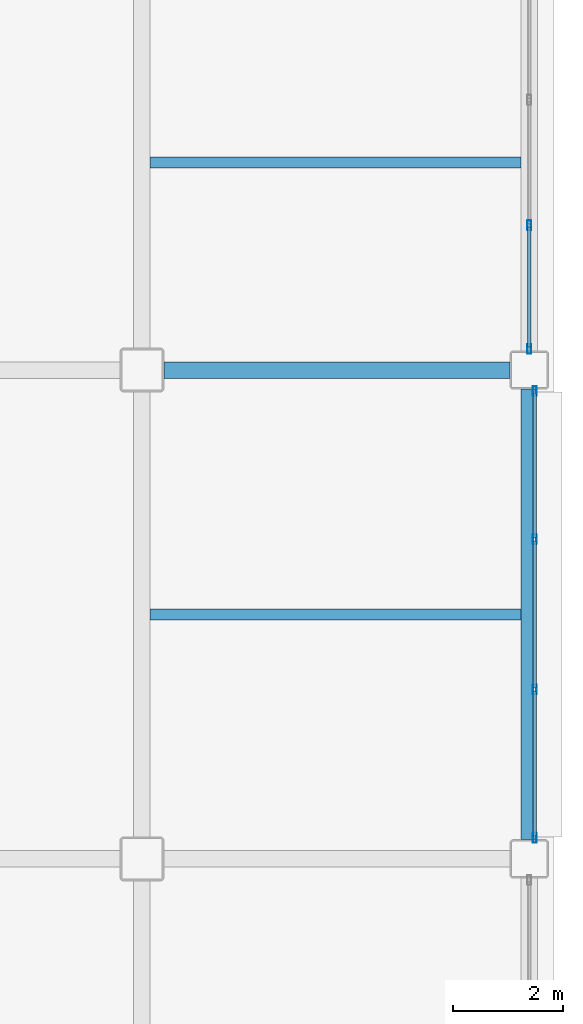
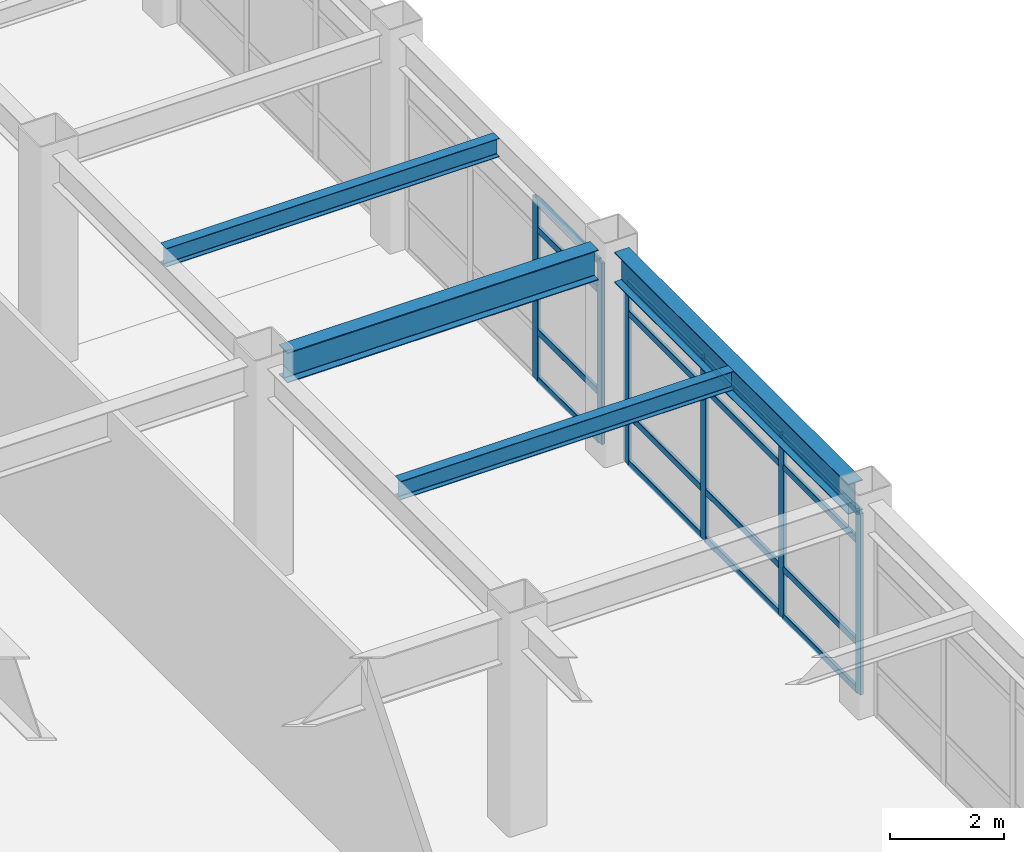
# One storey, part 95 of 154: 22 members, 4 beams, 2 elements without a shape of their own.
"""IFC4 building model written with IfcOpenShell, lengths in metres."""

from ifc_helpers import new_model, si_unit, direction, frame, origin, origin_2d, place, context, subcontext, project, spatial, hollow_rectangle, i_section, extrude, material, layer, layer_set, material_profile, profile_set, type_object, element, aggregate, save


model = new_model("IFC4")

# Units and contexts
model_context = context("Model", 3, precision=1e-05, world=origin(), true_north=direction((0.0, 1.0)))
body_context = subcontext(model_context, "Body", "Model", "MODEL_VIEW")
ifc_project = project(units=[si_unit("LENGTHUNIT", "METRE"), si_unit("AREAUNIT", "SQUARE_METRE"), si_unit("VOLUMEUNIT", "CUBIC_METRE"), si_unit("PLANEANGLEUNIT", "RADIAN"), si_unit("MASSUNIT", "GRAM", prefix="KILO")], contexts=[model_context])

# Site, building, storey
site_placement = place(None, origin())
site = spatial("IfcSite", under=ifc_project, at=site_placement, CompositionType="ELEMENT")
building_placement = place(site_placement, origin())
building = spatial("IfcBuilding", under=site, at=building_placement, Name="Kazehara Bluff Congress Hotel", CompositionType="ELEMENT")
storey_placement = place(building_placement, frame((0.0, 0.0, 10.199951171875)))
storey = spatial("IfcBuildingStorey", under=building, at=storey_placement, Name="L02", CompositionType="ELEMENT", Elevation=10.199951171875)

# Curtain wall, members
ifc_material_1 = material(Name="Anodised aluminium", Category="aluminium")
ifc_layer_1 = layer(ifc_material_1, 0.159912109375)
ifc_layer_set_1 = layer_set([ifc_layer_1], Name="Anodised aluminium")
curtain_wall_type_1 = type_object("IfcCurtainWallType", Name="TP-CW-83", PredefinedType="NOTDEFINED", material=ifc_layer_set_1)
curtain_wall_1_placement = place(storey_placement, origin())
curtain_wall_1 = element("IfcCurtainWall", 1, at=curtain_wall_1_placement, inside=storey, type_object=curtain_wall_type_1, Name="L02 curtain wall CW-83 CW-V5-L02-X16755-4125", PredefinedType="NOTDEFINED")
ifc_material_2 = material(Name="Anodised aluminium", Category="aluminium")
ifc_material_profile_1 = material_profile(ifc_material_2, hollow_rectangle(XDim=0.06494140625, YDim=0.179931640625, WallThickness=0.00390625, InnerFilletRadius=0.00390625, OuterFilletRadius=0.008056640625, at=origin_2d()))
ifc_profile_set_1 = profile_set([ifc_material_profile_1], Name="Anodised aluminium")
member_type_1 = type_object("IfcMemberType", Name="TP-CWM-02", PredefinedType="MULLION", material=ifc_profile_set_1)
member_1_placement = place(storey_placement, frame((167.550048828125, 41.282470703125, 0.0), z_axis=(0.0, 0.0, 1.0), x_axis=(-1.0, 0.0, 0.0)))
member_1 = element("IfcMember", 2, at=member_1_placement, type_object=member_type_1, Name="CW-83 mullion 1", PredefinedType="MULLION", context=body_context, shape_type="SweptSolid", body=[
    extrude(hollow_rectangle(XDim=0.06494140625, YDim=0.179931640625, WallThickness=0.00390625, InnerFilletRadius=0.00390625, OuterFilletRadius=0.008056640625, at=origin_2d()), origin(), (0.0, 0.0, 1.0), 3.885009765625),
])
member_2_placement = place(storey_placement, frame((167.550048828125, 43.533447265625, 0.0), z_axis=(0.0, 0.0, 1.0), x_axis=(-1.0, 0.0, 0.0)))
member_2 = element("IfcMember", 3, at=member_2_placement, type_object=member_type_1, Name="CW-83 mullion 2", PredefinedType="MULLION", context=body_context, shape_type="SweptSolid", body=[
    extrude(hollow_rectangle(XDim=0.06494140625, YDim=0.179931640625, WallThickness=0.00390625, InnerFilletRadius=0.00390625, OuterFilletRadius=0.008056640625, at=origin_2d()), origin(), (0.0, 0.0, 1.0), 3.885009765625),
])

ifc_material_3 = material(Name="Anodised aluminium", Category="aluminium")
ifc_layer_2 = layer(ifc_material_3, 0.159912109375)
ifc_layer_set_2 = layer_set([ifc_layer_2], Name="Anodised aluminium")
curtain_wall_type_2 = type_object("IfcCurtainWallType", Name="TP-CW-114", PredefinedType="NOTDEFINED", material=ifc_layer_set_2)
curtain_wall_2_placement = place(storey_placement, origin())
curtain_wall_2 = element("IfcCurtainWall", 4, at=curtain_wall_2_placement, inside=storey, type_object=curtain_wall_type_2, Name="L02 curtain wall CW-114 CW-ENC-V5-L02-16765-3645", PredefinedType="NOTDEFINED")
member_3_placement = place(storey_placement, frame((167.64990234375, 40.517578125, 0.0), z_axis=(0.0, 0.0, 1.0), x_axis=(1.0, 0.0, 0.0)))
member_3 = element("IfcMember", 5, at=member_3_placement, type_object=member_type_1, Name="CW-114 mullion 1", PredefinedType="MULLION", context=body_context, shape_type="SweptSolid", body=[
    extrude(hollow_rectangle(XDim=0.06494140625, YDim=0.179931640625, WallThickness=0.00390625, InnerFilletRadius=0.00390625, OuterFilletRadius=0.008056640625, at=origin_2d()), origin(), (0.0, 0.0, 1.0), 3.885009765625),
])
member_4_placement = place(storey_placement, frame((167.64990234375, 37.816650390625, 0.0), z_axis=(0.0, 0.0, 1.0), x_axis=(1.0, 0.0, 0.0)))
member_4 = element("IfcMember", 6, at=member_4_placement, type_object=member_type_1, Name="CW-114 mullion 2", PredefinedType="MULLION", context=body_context, shape_type="SweptSolid", body=[
    extrude(hollow_rectangle(XDim=0.06494140625, YDim=0.179931640625, WallThickness=0.00390625, InnerFilletRadius=0.00390625, OuterFilletRadius=0.008056640625, at=origin_2d()), origin(), (0.0, 0.0, 1.0), 3.885009765625),
])
member_5_placement = place(storey_placement, frame((167.64990234375, 35.083251953125, 0.0), z_axis=(0.0, 0.0, 1.0), x_axis=(1.0, 0.0, 0.0)))
member_5 = element("IfcMember", 7, at=member_5_placement, type_object=member_type_1, Name="CW-114 mullion 3", PredefinedType="MULLION", context=body_context, shape_type="SweptSolid", body=[
    extrude(hollow_rectangle(XDim=0.06494140625, YDim=0.179931640625, WallThickness=0.00390625, InnerFilletRadius=0.00390625, OuterFilletRadius=0.008056640625, at=origin_2d()), origin(), (0.0, 0.0, 1.0), 3.885009765625),
])
member_6_placement = place(storey_placement, frame((167.64990234375, 32.382568359375, 0.0), z_axis=(0.0, 0.0, 1.0), x_axis=(1.0, 0.0, 0.0)))
member_6 = element("IfcMember", 8, at=member_6_placement, type_object=member_type_1, Name="CW-114 mullion 4", PredefinedType="MULLION", context=body_context, shape_type="SweptSolid", body=[
    extrude(hollow_rectangle(XDim=0.06494140625, YDim=0.179931640625, WallThickness=0.00390625, InnerFilletRadius=0.00390625, OuterFilletRadius=0.008056640625, at=origin_2d()), origin(), (0.0, 0.0, 1.0), 3.885009765625),
])

# Member
ifc_material_4 = material(Name="Anodised aluminium", Category="aluminium")
ifc_material_profile_2 = material_profile(ifc_material_4, hollow_rectangle(XDim=0.06494140625, YDim=0.139892578125, WallThickness=0.00390625, InnerFilletRadius=0.00390625, OuterFilletRadius=0.008056640625, at=origin_2d()))
ifc_profile_set_2 = profile_set([ifc_material_profile_2], Name="Anodised aluminium")
member_type_2 = type_object("IfcMemberType", Name="TP-CWT-02", PredefinedType="USERDEFINED", material=ifc_profile_set_2)
member_7_placement = place(storey_placement, frame((167.550048828125, 41.31494140625, 0.032470703125), z_axis=(0.0, 1.0, 0.0), x_axis=(-1.0, 0.0, 0.0)))
member_7 = element("IfcMember", 9, at=member_7_placement, type_object=member_type_2, Name="CW-83 transom 1.1", ObjectType="TRANSOM", PredefinedType="USERDEFINED", context=body_context, shape_type="SweptSolid", body=[
    extrude(hollow_rectangle(XDim=0.06494140625, YDim=0.139892578125, WallThickness=0.00390625, InnerFilletRadius=0.00390625, OuterFilletRadius=0.008056640625, at=origin_2d()), origin(), (0.0, 0.0, 1.0), 2.185791015625),
])

member_8_placement = place(storey_placement, frame((167.550048828125, 41.31494140625, 1.050048828125), z_axis=(0.0, 1.0, 0.0), x_axis=(-1.0, 0.0, 0.0)))
member_8 = element("IfcMember", 10, at=member_8_placement, type_object=member_type_2, Name="CW-83 transom 1.2", ObjectType="TRANSOM", PredefinedType="USERDEFINED", context=body_context, shape_type="SweptSolid", body=[
    extrude(hollow_rectangle(XDim=0.06494140625, YDim=0.139892578125, WallThickness=0.00390625, InnerFilletRadius=0.00390625, OuterFilletRadius=0.008056640625, at=origin_2d()), origin(), (0.0, 0.0, 1.0), 2.185791015625),
])

member_9_placement = place(storey_placement, frame((167.550048828125, 41.31494140625, 3.235107421875), z_axis=(0.0, 1.0, 0.0), x_axis=(-1.0, 0.0, 0.0)))
member_9 = element("IfcMember", 11, at=member_9_placement, type_object=member_type_2, Name="CW-83 transom 1.3", ObjectType="TRANSOM", PredefinedType="USERDEFINED", context=body_context, shape_type="SweptSolid", body=[
    extrude(hollow_rectangle(XDim=0.06494140625, YDim=0.139892578125, WallThickness=0.00390625, InnerFilletRadius=0.00390625, OuterFilletRadius=0.008056640625, at=origin_2d()), origin(), (0.0, 0.0, 1.0), 2.185791015625),
])

member_10_placement = place(storey_placement, frame((167.550048828125, 41.31494140625, 3.8525390625), z_axis=(0.0, 1.0, 0.0), x_axis=(-1.0, 0.0, 0.0)))
member_10 = element("IfcMember", 12, at=member_10_placement, type_object=member_type_2, Name="CW-83 transom 1.4", ObjectType="TRANSOM", PredefinedType="USERDEFINED", context=body_context, shape_type="SweptSolid", body=[
    extrude(hollow_rectangle(XDim=0.06494140625, YDim=0.139892578125, WallThickness=0.00390625, InnerFilletRadius=0.00390625, OuterFilletRadius=0.008056640625, at=origin_2d()), origin(), (0.0, 0.0, 1.0), 2.185791015625),
])

aggregate(curtain_wall_1, [member_1, member_2, member_7, member_8, member_9, member_10])

member_11_placement = place(storey_placement, frame((167.64990234375, 40.485107421875, 0.032470703125), z_axis=(0.0, -1.0, 0.0), x_axis=(1.0, 0.0, 0.0)))
member_11 = element("IfcMember", 13, at=member_11_placement, type_object=member_type_2, Name="CW-114 transom 1.1", ObjectType="TRANSOM", PredefinedType="USERDEFINED", context=body_context, shape_type="SweptSolid", body=[
    extrude(hollow_rectangle(XDim=0.06494140625, YDim=0.139892578125, WallThickness=0.00390625, InnerFilletRadius=0.00390625, OuterFilletRadius=0.008056640625, at=origin_2d()), origin(), (0.0, 0.0, 1.0), 2.635986328125),
])

member_12_placement = place(storey_placement, frame((167.64990234375, 40.485107421875, 1.050048828125), z_axis=(0.0, -1.0, 0.0), x_axis=(1.0, 0.0, 0.0)))
member_12 = element("IfcMember", 14, at=member_12_placement, type_object=member_type_2, Name="CW-114 transom 1.2", ObjectType="TRANSOM", PredefinedType="USERDEFINED", context=body_context, shape_type="SweptSolid", body=[
    extrude(hollow_rectangle(XDim=0.06494140625, YDim=0.139892578125, WallThickness=0.00390625, InnerFilletRadius=0.00390625, OuterFilletRadius=0.008056640625, at=origin_2d()), origin(), (0.0, 0.0, 1.0), 2.635986328125),
])

member_13_placement = place(storey_placement, frame((167.64990234375, 40.485107421875, 3.235107421875), z_axis=(0.0, -1.0, 0.0), x_axis=(1.0, 0.0, 0.0)))
member_13 = element("IfcMember", 15, at=member_13_placement, type_object=member_type_2, Name="CW-114 transom 1.3", ObjectType="TRANSOM", PredefinedType="USERDEFINED", context=body_context, shape_type="SweptSolid", body=[
    extrude(hollow_rectangle(XDim=0.06494140625, YDim=0.139892578125, WallThickness=0.00390625, InnerFilletRadius=0.00390625, OuterFilletRadius=0.008056640625, at=origin_2d()), origin(), (0.0, 0.0, 1.0), 2.635986328125),
])

member_14_placement = place(storey_placement, frame((167.64990234375, 40.485107421875, 3.8525390625), z_axis=(0.0, -1.0, 0.0), x_axis=(1.0, 0.0, 0.0)))
member_14 = element("IfcMember", 16, at=member_14_placement, type_object=member_type_2, Name="CW-114 transom 1.4", ObjectType="TRANSOM", PredefinedType="USERDEFINED", context=body_context, shape_type="SweptSolid", body=[
    extrude(hollow_rectangle(XDim=0.06494140625, YDim=0.139892578125, WallThickness=0.00390625, InnerFilletRadius=0.00390625, OuterFilletRadius=0.008056640625, at=origin_2d()), origin(), (0.0, 0.0, 1.0), 2.635986328125),
])

member_15_placement = place(storey_placement, frame((167.64990234375, 37.7841796875, 0.032470703125), z_axis=(0.0, -1.0, 0.0), x_axis=(1.0, 0.0, 0.0)))
member_15 = element("IfcMember", 17, at=member_15_placement, type_object=member_type_2, Name="CW-114 transom 2.1", ObjectType="TRANSOM", PredefinedType="USERDEFINED", context=body_context, shape_type="SweptSolid", body=[
    extrude(hollow_rectangle(XDim=0.06494140625, YDim=0.139892578125, WallThickness=0.00390625, InnerFilletRadius=0.00390625, OuterFilletRadius=0.008056640625, at=origin_2d()), origin(), (0.0, 0.0, 1.0), 2.66845703125),
])

member_16_placement = place(storey_placement, frame((167.64990234375, 37.7841796875, 1.050048828125), z_axis=(0.0, -1.0, 0.0), x_axis=(1.0, 0.0, 0.0)))
member_16 = element("IfcMember", 18, at=member_16_placement, type_object=member_type_2, Name="CW-114 transom 2.2", ObjectType="TRANSOM", PredefinedType="USERDEFINED", context=body_context, shape_type="SweptSolid", body=[
    extrude(hollow_rectangle(XDim=0.06494140625, YDim=0.139892578125, WallThickness=0.00390625, InnerFilletRadius=0.00390625, OuterFilletRadius=0.008056640625, at=origin_2d()), origin(), (0.0, 0.0, 1.0), 2.66845703125),
])

member_17_placement = place(storey_placement, frame((167.64990234375, 37.7841796875, 3.235107421875), z_axis=(0.0, -1.0, 0.0), x_axis=(1.0, 0.0, 0.0)))
member_17 = element("IfcMember", 19, at=member_17_placement, type_object=member_type_2, Name="CW-114 transom 2.3", ObjectType="TRANSOM", PredefinedType="USERDEFINED", context=body_context, shape_type="SweptSolid", body=[
    extrude(hollow_rectangle(XDim=0.06494140625, YDim=0.139892578125, WallThickness=0.00390625, InnerFilletRadius=0.00390625, OuterFilletRadius=0.008056640625, at=origin_2d()), origin(), (0.0, 0.0, 1.0), 2.66845703125),
])

member_18_placement = place(storey_placement, frame((167.64990234375, 37.7841796875, 3.8525390625), z_axis=(0.0, -1.0, 0.0), x_axis=(1.0, 0.0, 0.0)))
member_18 = element("IfcMember", 20, at=member_18_placement, type_object=member_type_2, Name="CW-114 transom 2.4", ObjectType="TRANSOM", PredefinedType="USERDEFINED", context=body_context, shape_type="SweptSolid", body=[
    extrude(hollow_rectangle(XDim=0.06494140625, YDim=0.139892578125, WallThickness=0.00390625, InnerFilletRadius=0.00390625, OuterFilletRadius=0.008056640625, at=origin_2d()), origin(), (0.0, 0.0, 1.0), 2.66845703125),
])

member_19_placement = place(storey_placement, frame((167.64990234375, 35.05078125, 0.032470703125), z_axis=(0.0, -1.0, 0.0), x_axis=(1.0, 0.0, 0.0)))
member_19 = element("IfcMember", 21, at=member_19_placement, type_object=member_type_2, Name="CW-114 transom 3.1", ObjectType="TRANSOM", PredefinedType="USERDEFINED", context=body_context, shape_type="SweptSolid", body=[
    extrude(hollow_rectangle(XDim=0.06494140625, YDim=0.139892578125, WallThickness=0.00390625, InnerFilletRadius=0.00390625, OuterFilletRadius=0.008056640625, at=origin_2d()), origin(), (0.0, 0.0, 1.0), 2.6357421875),
])

member_20_placement = place(storey_placement, frame((167.64990234375, 35.05078125, 1.050048828125), z_axis=(0.0, -1.0, 0.0), x_axis=(1.0, 0.0, 0.0)))
member_20 = element("IfcMember", 22, at=member_20_placement, type_object=member_type_2, Name="CW-114 transom 3.2", ObjectType="TRANSOM", PredefinedType="USERDEFINED", context=body_context, shape_type="SweptSolid", body=[
    extrude(hollow_rectangle(XDim=0.06494140625, YDim=0.139892578125, WallThickness=0.00390625, InnerFilletRadius=0.00390625, OuterFilletRadius=0.008056640625, at=origin_2d()), origin(), (0.0, 0.0, 1.0), 2.6357421875),
])

member_21_placement = place(storey_placement, frame((167.64990234375, 35.05078125, 3.235107421875), z_axis=(0.0, -1.0, 0.0), x_axis=(1.0, 0.0, 0.0)))
member_21 = element("IfcMember", 23, at=member_21_placement, type_object=member_type_2, Name="CW-114 transom 3.3", ObjectType="TRANSOM", PredefinedType="USERDEFINED", context=body_context, shape_type="SweptSolid", body=[
    extrude(hollow_rectangle(XDim=0.06494140625, YDim=0.139892578125, WallThickness=0.00390625, InnerFilletRadius=0.00390625, OuterFilletRadius=0.008056640625, at=origin_2d()), origin(), (0.0, 0.0, 1.0), 2.6357421875),
])

member_22_placement = place(storey_placement, frame((167.64990234375, 35.05078125, 3.8525390625), z_axis=(0.0, -1.0, 0.0), x_axis=(1.0, 0.0, 0.0)))
member_22 = element("IfcMember", 24, at=member_22_placement, type_object=member_type_2, Name="CW-114 transom 3.4", ObjectType="TRANSOM", PredefinedType="USERDEFINED", context=body_context, shape_type="SweptSolid", body=[
    extrude(hollow_rectangle(XDim=0.06494140625, YDim=0.139892578125, WallThickness=0.00390625, InnerFilletRadius=0.00390625, OuterFilletRadius=0.008056640625, at=origin_2d()), origin(), (0.0, 0.0, 1.0), 2.6357421875),
])

aggregate(curtain_wall_2, [member_3, member_4, member_5, member_6, member_11, member_12, member_13, member_14, member_15, member_16, member_17, member_18, member_19, member_20, member_21, member_22])

# Beams
ifc_material_5 = material(Name="Steel SN490B", Category="steel")
ifc_material_profile_3 = material_profile(ifc_material_5, i_section(OverallWidth=0.300048828125, OverallDepth=0.64990234375, WebThickness=0.011962890625, FlangeThickness=0.02001953125, FilletRadius=0.012939453125, at=origin_2d()))
ifc_profile_set_3 = profile_set([ifc_material_profile_3], Name="Steel SN490B")
beam_type_1 = type_object("IfcBeamType", Name="TP-G-03", PredefinedType="BEAM", material=ifc_profile_set_3)
beam_1_placement = place(storey_placement, frame((167.550048828125, 32.35009765625, 4.235107421875), z_axis=(0.0, 1.0, 0.0), x_axis=(-1.0, 0.0, 0.0)))
element("IfcBeam", 25, at=beam_1_placement, inside=storey, type_object=beam_type_1, Name="L02 girder G-03 172", PredefinedType="BEAM", context=body_context, shape_type="SweptSolid", body=[
    extrude(i_section(OverallWidth=0.300048828125, OverallDepth=0.64990234375, WebThickness=0.011962890625, FlangeThickness=0.02001953125, FilletRadius=0.012939453125, at=origin_2d()), origin(), (0.0, 0.0, 1.0), 8.199951171875),
])
beam_2_placement = place(storey_placement, frame((160.89990234375, 40.89990234375, 4.235107421875), z_axis=(1.0, 0.0, 0.0), x_axis=(0.0, 1.0, 0.0)))
element("IfcBeam", 26, at=beam_2_placement, inside=storey, type_object=beam_type_1, Name="L02 girder G-03 207", PredefinedType="BEAM", context=body_context, shape_type="SweptSolid", body=[
    extrude(i_section(OverallWidth=0.300048828125, OverallDepth=0.64990234375, WebThickness=0.011962890625, FlangeThickness=0.02001953125, FilletRadius=0.012939453125, at=origin_2d()), origin(), (0.0, 0.0, 1.0), 6.300048828125),
])
ifc_material_6 = material(Name="Steel SN400B", Category="steel")
ifc_material_profile_4 = material_profile(ifc_material_6, i_section(OverallWidth=0.199951171875, OverallDepth=0.39990234375, WebThickness=0.008056640625, FlangeThickness=0.012939453125, FilletRadius=0.012939453125, at=origin_2d()))
ifc_profile_set_4 = profile_set([ifc_material_profile_4], Name="Steel SN400B")
beam_type_2 = type_object("IfcBeamType", Name="TP-J-03", PredefinedType="JOIST", material=ifc_profile_set_4)
for number, where, z_axis, x_axis, name in (
    (27, (160.64990234375, 36.449951171875, 4.360107421875), (1.0, 0.0, 0.0), (0.0, 1.0, 0.0), "L02 secondary joist J-03 46"),
    (28, (160.64990234375, 44.675048828125, 4.360107421875), (1.0, 0.0, 0.0), (0.0, 1.0, 0.0), "L02 secondary joist J-03 47"),
):
    element("IfcBeam", number, at=place(storey_placement, frame(where, z_axis=z_axis, x_axis=x_axis)), inside=storey, type_object=beam_type_2, Name=name, PredefinedType="JOIST", context=body_context, shape_type="SweptSolid", body=[
        extrude(i_section(OverallWidth=0.199951171875, OverallDepth=0.39990234375, WebThickness=0.008056640625, FlangeThickness=0.012939453125, FilletRadius=0.012939453125, at=origin_2d()), origin(), (0.0, 0.0, 1.0), 6.75),
    ])

save(model, "model.ifc")
